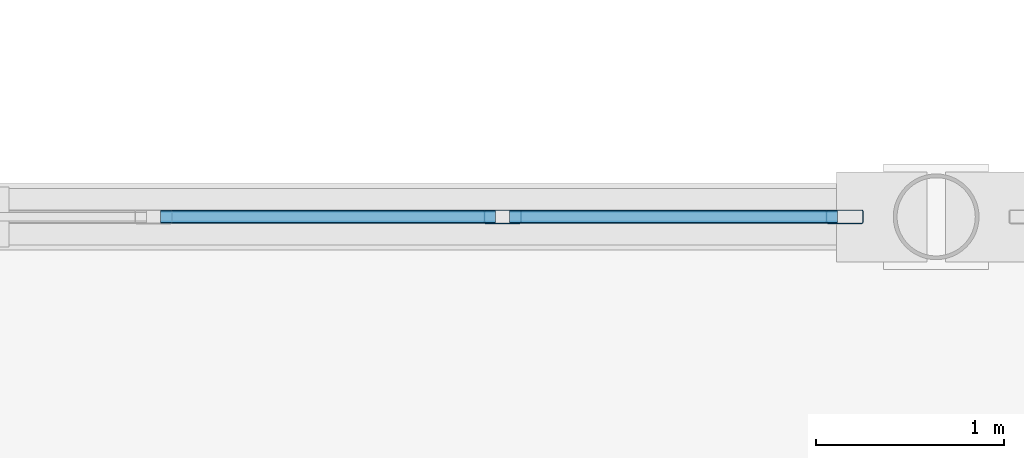
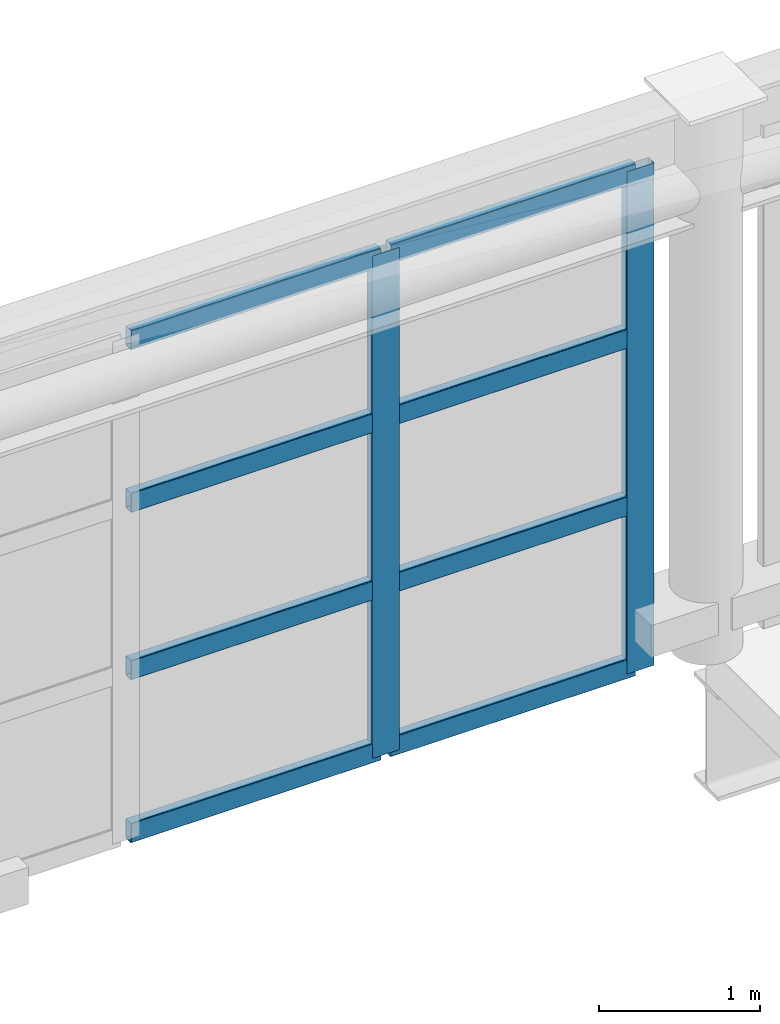
# One storey, part 80 of 135: 10 members, 1 element without a shape of its own.
"""IFC4 building model written with IfcOpenShell, lengths in metres."""

from ifc_helpers import new_model, si_unit, direction, frame, origin, origin_2d, place, context, subcontext, project, spatial, hollow_rectangle, extrude, material, material_profile, profile_set, type_object, element, aggregate, save


model = new_model("IFC4")

# Units and contexts
model_context = context("Model", 3, precision=1e-05, world=origin(), true_north=direction((0.0, 1.0)))
body_context = subcontext(model_context, "Body", "Model", "MODEL_VIEW")
ifc_project = project(units=[si_unit("LENGTHUNIT", "METRE"), si_unit("AREAUNIT", "SQUARE_METRE"), si_unit("VOLUMEUNIT", "CUBIC_METRE"), si_unit("PLANEANGLEUNIT", "RADIAN"), si_unit("MASSUNIT", "GRAM", prefix="KILO")], contexts=[model_context])

# Site, building, storey
site_placement = place(None, origin())
site = spatial("IfcSite", under=ifc_project, at=site_placement, CompositionType="ELEMENT")
building_placement = place(site_placement, origin())
building = spatial("IfcBuilding", under=site, at=building_placement, Name="Brelvane Convention Centre", CompositionType="ELEMENT")
storey_placement = place(building_placement, frame((0.0, 0.0, 15.0)))
storey = spatial("IfcBuildingStorey", under=building, at=storey_placement, Name="L03", CompositionType="ELEMENT", Elevation=15.0)

# Curtain wall, members
ifc_material_1 = material(Name="Anodised Aluminium Alloy 6063-T6", Category="aluminium")
curtain_wall_type = type_object("IfcCurtainWallType", Name="Curtain Wall CW-PLEN-E", PredefinedType="USERDEFINED", material=ifc_material_1)
curtain_wall_placement = place(storey_placement, origin())
curtain_wall = element("IfcCurtainWall", 1, at=curtain_wall_placement, inside=storey, type_object=curtain_wall_type, Name="Curtain Wall CW-PLEN-E L03-PLEN-N-CLER-5", ObjectType="UNITISED", PredefinedType="USERDEFINED")
ifc_material_2 = material(Name="Anodised Aluminium Alloy 6063-T6", Category="aluminium")
ifc_material_profile_1 = material_profile(ifc_material_2, hollow_rectangle(XDim=0.074951171875, YDim=0.199951171875, WallThickness=0.0048828125, InnerFilletRadius=0.0048828125, OuterFilletRadius=0.010009765625, at=origin_2d()), Name="ALU-M 200x75x5.0")
ifc_profile_set_1 = profile_set([ifc_material_profile_1], Name="Anodised Aluminium Alloy 6063-T6")
member_type_1 = type_object("IfcMemberType", Name="Curtain Mullion CW-M2", PredefinedType="MULLION", material=ifc_profile_set_1)
member_1_placement = place(storey_placement, frame((211.889892578125, 87.800048828125, 0.0), z_axis=(0.0, 0.0, 1.0), x_axis=(0.0, 1.0, 0.0)))
member_1 = element("IfcMember", 2, at=member_1_placement, type_object=member_type_1, Name="CW-PLEN-E mullion 5", PredefinedType="MULLION", context=body_context, shape_type="SweptSolid", body=[
    extrude(hollow_rectangle(XDim=0.074951171875, YDim=0.199951171875, WallThickness=0.0048828125, InnerFilletRadius=0.0048828125, OuterFilletRadius=0.010009765625, at=origin_2d()), origin(), (0.0, 0.0, 1.0), 3.800048828125),
])
member_2_placement = place(storey_placement, frame((213.71240234375, 87.800048828125, 0.0), z_axis=(0.0, 0.0, 1.0), x_axis=(0.0, 1.0, 0.0)))
member_2 = element("IfcMember", 3, at=member_2_placement, type_object=member_type_1, Name="CW-PLEN-E mullion 6", PredefinedType="MULLION", context=body_context, shape_type="SweptSolid", body=[
    extrude(hollow_rectangle(XDim=0.074951171875, YDim=0.199951171875, WallThickness=0.0048828125, InnerFilletRadius=0.0048828125, OuterFilletRadius=0.010009765625, at=origin_2d()), origin(), (0.0, 0.0, 1.0), 3.800048828125),
])
ifc_material_3 = material(Name="Anodised Aluminium Alloy 6063-T6", Category="aluminium")
ifc_material_profile_2 = material_profile(ifc_material_3, hollow_rectangle(XDim=0.070068359375, YDim=0.14990234375, WallThickness=0.00439453125, InnerFilletRadius=0.00439453125, OuterFilletRadius=0.009033203125, at=origin_2d()), Name="ALU-T 150x70x4.5")
ifc_profile_set_2 = profile_set([ifc_material_profile_2], Name="Anodised Aluminium Alloy 6063-T6")
member_type_2 = type_object("IfcMemberType", Name="Curtain Transom CW-T2", PredefinedType="USERDEFINED", material=ifc_profile_set_2)
member_3_placement = place(storey_placement, frame((210.0673828125, 87.800048828125, 0.034912109375), z_axis=(1.0, 0.0, 0.0), x_axis=(0.0, 1.0, 0.0)))
member_3 = element("IfcMember", 4, at=member_3_placement, type_object=member_type_2, Name="CW-PLEN-E transom 4.1", ObjectType="TRANSOM", PredefinedType="USERDEFINED", context=body_context, shape_type="SweptSolid", body=[
    extrude(hollow_rectangle(XDim=0.070068359375, YDim=0.14990234375, WallThickness=0.00439453125, InnerFilletRadius=0.00439453125, OuterFilletRadius=0.009033203125, at=origin_2d()), origin(), (0.0, 0.0, 1.0), 1.78515625),
])
member_4_placement = place(storey_placement, frame((210.0673828125, 87.800048828125, 1.2666015625), z_axis=(1.0, 0.0, 0.0), x_axis=(0.0, 1.0, 0.0)))
member_4 = element("IfcMember", 5, at=member_4_placement, type_object=member_type_2, Name="CW-PLEN-E transom 4.2", ObjectType="TRANSOM", PredefinedType="USERDEFINED", context=body_context, shape_type="SweptSolid", body=[
    extrude(hollow_rectangle(XDim=0.070068359375, YDim=0.14990234375, WallThickness=0.00439453125, InnerFilletRadius=0.00439453125, OuterFilletRadius=0.009033203125, at=origin_2d()), origin(), (0.0, 0.0, 1.0), 1.78515625),
])
member_5_placement = place(storey_placement, frame((210.0673828125, 87.800048828125, 2.533203125), z_axis=(1.0, 0.0, 0.0), x_axis=(0.0, 1.0, 0.0)))
member_5 = element("IfcMember", 6, at=member_5_placement, type_object=member_type_2, Name="CW-PLEN-E transom 4.3", ObjectType="TRANSOM", PredefinedType="USERDEFINED", context=body_context, shape_type="SweptSolid", body=[
    extrude(hollow_rectangle(XDim=0.070068359375, YDim=0.14990234375, WallThickness=0.00439453125, InnerFilletRadius=0.00439453125, OuterFilletRadius=0.009033203125, at=origin_2d()), origin(), (0.0, 0.0, 1.0), 1.78515625),
])
member_6_placement = place(storey_placement, frame((210.0673828125, 87.800048828125, 3.764892578125), z_axis=(1.0, 0.0, 0.0), x_axis=(0.0, 1.0, 0.0)))
member_6 = element("IfcMember", 7, at=member_6_placement, type_object=member_type_2, Name="CW-PLEN-E transom 4.4", ObjectType="TRANSOM", PredefinedType="USERDEFINED", context=body_context, shape_type="SweptSolid", body=[
    extrude(hollow_rectangle(XDim=0.070068359375, YDim=0.14990234375, WallThickness=0.00439453125, InnerFilletRadius=0.00439453125, OuterFilletRadius=0.009033203125, at=origin_2d()), origin(), (0.0, 0.0, 1.0), 1.78515625),
])
member_7_placement = place(storey_placement, frame((211.927490234375, 87.800048828125, 0.034912109375), z_axis=(1.0, 0.0, 0.0), x_axis=(0.0, 1.0, 0.0)))
member_7 = element("IfcMember", 8, at=member_7_placement, type_object=member_type_2, Name="CW-PLEN-E transom 5.1", ObjectType="TRANSOM", PredefinedType="USERDEFINED", context=body_context, shape_type="SweptSolid", body=[
    extrude(hollow_rectangle(XDim=0.070068359375, YDim=0.14990234375, WallThickness=0.00439453125, InnerFilletRadius=0.00439453125, OuterFilletRadius=0.009033203125, at=origin_2d()), origin(), (0.0, 0.0, 1.0), 1.74755859375),
])
member_8_placement = place(storey_placement, frame((211.927490234375, 87.800048828125, 1.2666015625), z_axis=(1.0, 0.0, 0.0), x_axis=(0.0, 1.0, 0.0)))
member_8 = element("IfcMember", 9, at=member_8_placement, type_object=member_type_2, Name="CW-PLEN-E transom 5.2", ObjectType="TRANSOM", PredefinedType="USERDEFINED", context=body_context, shape_type="SweptSolid", body=[
    extrude(hollow_rectangle(XDim=0.070068359375, YDim=0.14990234375, WallThickness=0.00439453125, InnerFilletRadius=0.00439453125, OuterFilletRadius=0.009033203125, at=origin_2d()), origin(), (0.0, 0.0, 1.0), 1.74755859375),
])
member_9_placement = place(storey_placement, frame((211.927490234375, 87.800048828125, 2.533203125), z_axis=(1.0, 0.0, 0.0), x_axis=(0.0, 1.0, 0.0)))
member_9 = element("IfcMember", 10, at=member_9_placement, type_object=member_type_2, Name="CW-PLEN-E transom 5.3", ObjectType="TRANSOM", PredefinedType="USERDEFINED", context=body_context, shape_type="SweptSolid", body=[
    extrude(hollow_rectangle(XDim=0.070068359375, YDim=0.14990234375, WallThickness=0.00439453125, InnerFilletRadius=0.00439453125, OuterFilletRadius=0.009033203125, at=origin_2d()), origin(), (0.0, 0.0, 1.0), 1.74755859375),
])
member_10_placement = place(storey_placement, frame((211.927490234375, 87.800048828125, 3.764892578125), z_axis=(1.0, 0.0, 0.0), x_axis=(0.0, 1.0, 0.0)))
member_10 = element("IfcMember", 11, at=member_10_placement, type_object=member_type_2, Name="CW-PLEN-E transom 5.4", ObjectType="TRANSOM", PredefinedType="USERDEFINED", context=body_context, shape_type="SweptSolid", body=[
    extrude(hollow_rectangle(XDim=0.070068359375, YDim=0.14990234375, WallThickness=0.00439453125, InnerFilletRadius=0.00439453125, OuterFilletRadius=0.009033203125, at=origin_2d()), origin(), (0.0, 0.0, 1.0), 1.74755859375),
])
aggregate(curtain_wall, [member_1, member_2, member_3, member_4, member_5, member_6, member_7, member_8, member_9, member_10])

save(model, "model.ifc")
